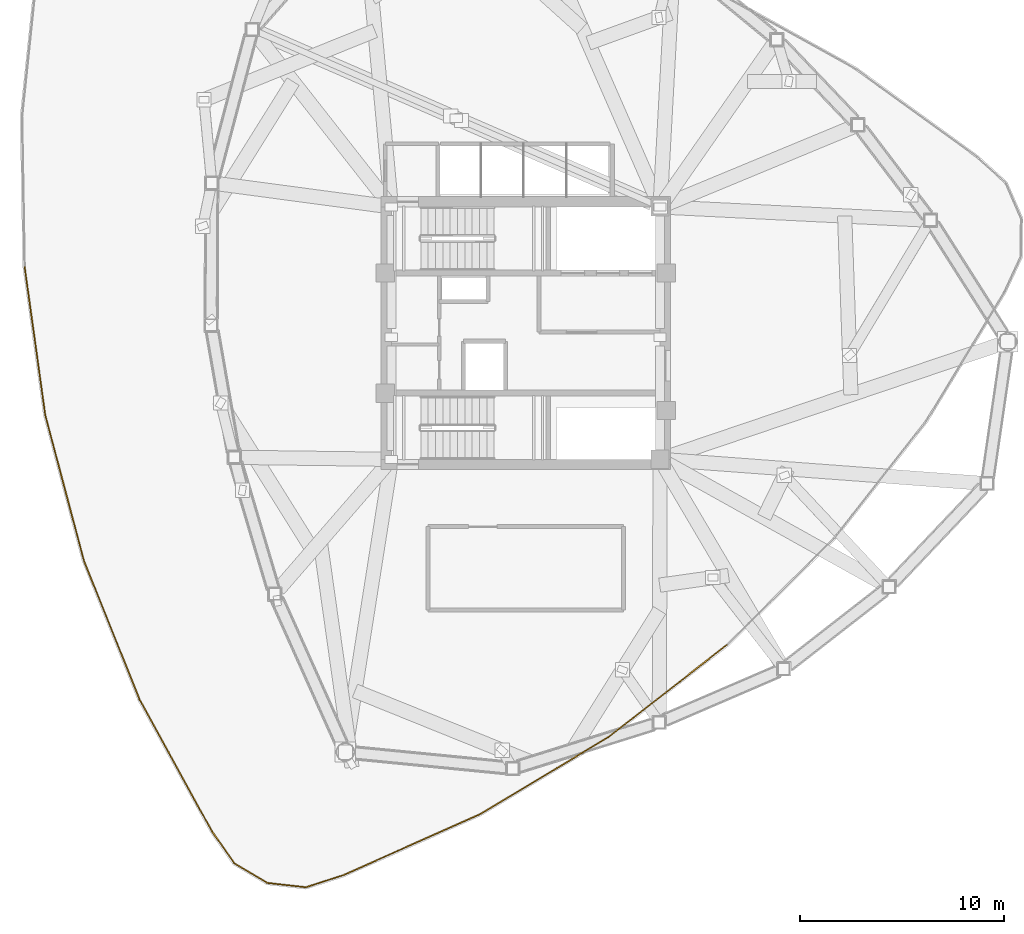
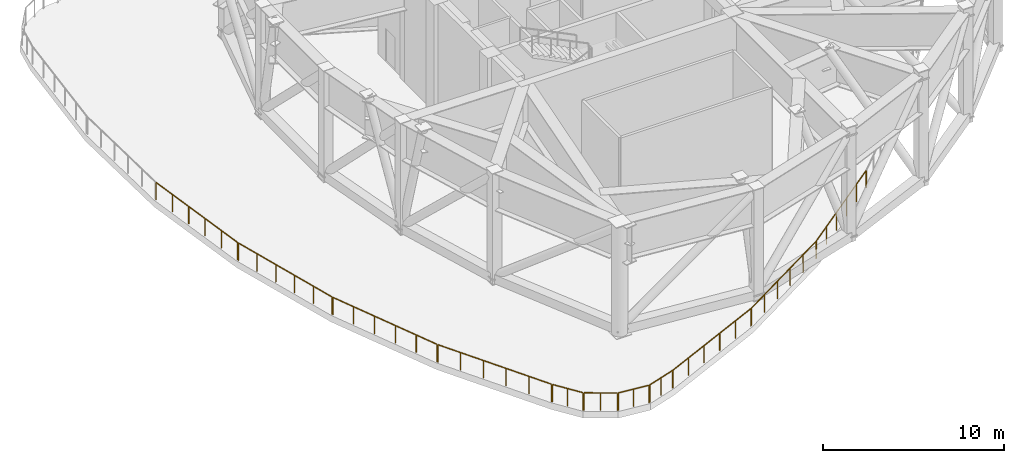
# One storey, part 6 of 8: 11 railings.
"""IFC4 building model written with IfcOpenShell, lengths in metres."""

from ifc_helpers import new_model, si_unit, direction, frame, origin, origin_2d, place, context, subcontext, project, spatial, rectangle, extrude, material, type_object, element, save


model = new_model("IFC4")

# Units and contexts
model_context = context("Model", 3, precision=1e-05, world=origin(), true_north=direction((0.0, 1.0)))
body_context = subcontext(model_context, "Body", "Model", "MODEL_VIEW")
ifc_project = project(units=[si_unit("LENGTHUNIT", "METRE"), si_unit("AREAUNIT", "SQUARE_METRE"), si_unit("VOLUMEUNIT", "CUBIC_METRE"), si_unit("PLANEANGLEUNIT", "RADIAN"), si_unit("MASSUNIT", "GRAM", prefix="KILO")], contexts=[model_context])

# Site, building, storey
site_placement = place(None, origin())
site = spatial("IfcSite", under=ifc_project, at=site_placement, CompositionType="ELEMENT")
building_placement = place(site_placement, origin())
building = spatial("IfcBuilding", under=site, at=building_placement, Name="Tavelor Broadcast Tower", CompositionType="ELEMENT")
storey_placement = place(building_placement, frame((0.0, 0.0, 209.14990234375)))
storey = spatial("IfcBuildingStorey", under=building, at=storey_placement, Name="L50", CompositionType="ELEMENT", Elevation=209.14990234375)

# Railings
ifc_material = material(Name="Steel S355", Category="steel")
railing_type = type_object("IfcRailingType", Name="Open Wind Floor Perimeter Safety Guardrail 1200 mm", PredefinedType="GUARDRAIL", material=ifc_material)
railing_1_placement = place(storey_placement, frame((59.86865234375, 29.677490234375, 0.0)))
element("IfcRailing", 1, at=railing_1_placement, inside=storey, type_object=railing_type, Name="L50 Open Wind Floor Perimeter Guardrail 14", PredefinedType="GUARDRAIL", context=body_context, shape_type="SweptSolid", body=[
    extrude(rectangle(XDim=0.048095703125, YDim=0.048095703125, at=origin_2d()), frame((0.0, 0.0, 1.17578125), z_axis=(-0.7888162645, -0.614629075834, 0.0), x_axis=(0.614629075834, -0.7888162645, 0.0)), (0.0, 0.0, 1.0), 7.3134765625),
    extrude(rectangle(XDim=0.0419921875, YDim=0.0419921875, at=origin_2d()), origin(), (0.0, 0.0, 1.0), 1.15185546875),
    extrude(rectangle(XDim=0.0419921875, YDim=0.0419921875, at=origin_2d()), frame((-1.15380859375, -0.89892578125, 0.0)), (0.0, 0.0, 1.0), 1.15185546875),
    extrude(rectangle(XDim=0.0419921875, YDim=0.0419921875, at=origin_2d()), frame((-2.3076171875, -1.798095703125, 0.0)), (0.0, 0.0, 1.0), 1.15185546875),
    extrude(rectangle(XDim=0.0419921875, YDim=0.0419921875, at=origin_2d()), frame((-3.46142578125, -2.697021484375, 0.0)), (0.0, 0.0, 1.0), 1.15185546875),
    extrude(rectangle(XDim=0.0419921875, YDim=0.0419921875, at=origin_2d()), frame((-4.615234375, -3.59619140625, 0.0)), (0.0, 0.0, 1.0), 1.15185546875),
    extrude(rectangle(XDim=0.0419921875, YDim=0.0419921875, at=origin_2d()), frame((-5.76904296875, -4.4951171875, 0.0)), (0.0, 0.0, 1.0), 1.15185546875),
])
railing_2_placement = place(storey_placement, frame((54.050048828125, 25.1484375, 0.0)))
element("IfcRailing", 2, at=railing_2_placement, inside=storey, type_object=railing_type, Name="L50 Open Wind Floor Perimeter Guardrail 15", PredefinedType="GUARDRAIL", context=body_context, shape_type="SweptSolid", body=[
    extrude(rectangle(XDim=0.048095703125, YDim=0.048095703125, at=origin_2d()), frame((0.0, 0.0, 1.17578125), z_axis=(-0.857404550197, -0.514643019287, 0.0), x_axis=(0.514643019287, -0.857404550197, 0.0)), (0.0, 0.0, 1.0), 7.313720703125),
    extrude(rectangle(XDim=0.0419921875, YDim=0.0419921875, at=origin_2d()), origin(), (0.0, 0.0, 1.0), 1.15185546875),
    extrude(rectangle(XDim=0.0419921875, YDim=0.0419921875, at=origin_2d()), frame((-1.254150390625, -0.752685546875, 0.0)), (0.0, 0.0, 1.0), 1.15185546875),
    extrude(rectangle(XDim=0.0419921875, YDim=0.0419921875, at=origin_2d()), frame((-2.50830078125, -1.505615234375, 0.0)), (0.0, 0.0, 1.0), 1.15185546875),
    extrude(rectangle(XDim=0.0419921875, YDim=0.0419921875, at=origin_2d()), frame((-3.762451171875, -2.25830078125, 0.0)), (0.0, 0.0, 1.0), 1.15185546875),
    extrude(rectangle(XDim=0.0419921875, YDim=0.0419921875, at=origin_2d()), frame((-5.0166015625, -3.01123046875, 0.0)), (0.0, 0.0, 1.0), 1.15185546875),
    extrude(rectangle(XDim=0.0419921875, YDim=0.0419921875, at=origin_2d()), frame((-6.270751953125, -3.763916015625, 0.0)), (0.0, 0.0, 1.0), 1.15185546875),
])
railing_3_placement = place(storey_placement, frame((47.726318359375, 21.35693359375, 0.0)))
element("IfcRailing", 3, at=railing_3_placement, inside=storey, type_object=railing_type, Name="L50 Open Wind Floor Perimeter Guardrail 16", PredefinedType="GUARDRAIL", context=body_context, shape_type="SweptSolid", body=[
    extrude(rectangle(XDim=0.048095703125, YDim=0.048095703125, at=origin_2d()), frame((0.0, 0.0, 1.17578125), z_axis=(-0.913367810019, -0.407135411899, 0.0), x_axis=(0.407135411899, -0.913367810019, 0.0)), (0.0, 0.0, 1.0), 7.314697265625),
    extrude(rectangle(XDim=0.0419921875, YDim=0.0419921875, at=origin_2d()), origin(), (0.0, 0.0, 1.0), 1.15185546875),
    extrude(rectangle(XDim=0.0419921875, YDim=0.0419921875, at=origin_2d()), frame((-1.336181640625, -0.595703125, 0.0)), (0.0, 0.0, 1.0), 1.15185546875),
    extrude(rectangle(XDim=0.0419921875, YDim=0.0419921875, at=origin_2d()), frame((-2.67236328125, -1.191162109375, 0.0)), (0.0, 0.0, 1.0), 1.15185546875),
    extrude(rectangle(XDim=0.0419921875, YDim=0.0419921875, at=origin_2d()), frame((-4.008544921875, -1.786865234375, 0.0)), (0.0, 0.0, 1.0), 1.15185546875),
    extrude(rectangle(XDim=0.0419921875, YDim=0.0419921875, at=origin_2d()), frame((-5.3447265625, -2.38232421875, 0.0)), (0.0, 0.0, 1.0), 1.15185546875),
    extrude(rectangle(XDim=0.0419921875, YDim=0.0419921875, at=origin_2d()), frame((-6.680908203125, -2.97802734375, 0.0)), (0.0, 0.0, 1.0), 1.15185546875),
])
railing_4_placement = place(storey_placement, frame((40.989501953125, 18.357666015625, 0.0)))
element("IfcRailing", 4, at=railing_4_placement, inside=storey, type_object=railing_type, Name="L50 Open Wind Floor Perimeter Guardrail 17", PredefinedType="GUARDRAIL", context=body_context, shape_type="SweptSolid", body=[
    extrude(rectangle(XDim=0.048095703125, YDim=0.048095703125, at=origin_2d()), frame((0.0, 0.0, 1.17578125), z_axis=(-0.951873584088, -0.306490913266, 0.0), x_axis=(0.306490913266, -0.951873584088, 0.0)), (0.0, 0.0, 1.0), 1.853515625),
    extrude(rectangle(XDim=0.0419921875, YDim=0.0419921875, at=origin_2d()), origin(), (0.0, 0.0, 1.0), 1.15185546875),
    extrude(rectangle(XDim=0.0419921875, YDim=0.0419921875, at=origin_2d()), frame((-0.88232421875, -0.2841796875, 0.0)), (0.0, 0.0, 1.0), 1.15185546875),
    extrude(rectangle(XDim=0.0419921875, YDim=0.0419921875, at=origin_2d()), frame((-1.764404296875, -0.568115234375, 0.0)), (0.0, 0.0, 1.0), 1.15185546875),
])
railing_5_placement = place(storey_placement, frame((39.166748046875, 17.78369140625, 0.0)))
element("IfcRailing", 5, at=railing_5_placement, inside=storey, type_object=railing_type, Name="L50 Open Wind Floor Perimeter Guardrail 18", PredefinedType="GUARDRAIL", context=body_context, shape_type="SweptSolid", body=[
    extrude(rectangle(XDim=0.048095703125, YDim=0.048095703125, at=origin_2d()), frame((0.0, 0.0, 1.17578125), z_axis=(-0.993676206901, 0.112283551061, 0.0), x_axis=(-0.112283551061, -0.993676206901, 0.0)), (0.0, 0.0, 1.0), 1.83740234375),
    extrude(rectangle(XDim=0.0419921875, YDim=0.0419921875, at=origin_2d()), origin(), (0.0, 0.0, 1.0), 1.15185546875),
    extrude(rectangle(XDim=0.0419921875, YDim=0.0419921875, at=origin_2d()), frame((-0.912841796875, 0.10302734375, 0.0)), (0.0, 0.0, 1.0), 1.15185546875),
    extrude(rectangle(XDim=0.0419921875, YDim=0.0419921875, at=origin_2d()), frame((-1.82568359375, 0.206298828125, 0.0)), (0.0, 0.0, 1.0), 1.15185546875),
])
railing_6_placement = place(storey_placement, frame((37.285400390625, 18.0087890625, 0.0)))
element("IfcRailing", 6, at=railing_6_placement, inside=storey, type_object=railing_type, Name="L50 Open Wind Floor Perimeter Guardrail 19", PredefinedType="GUARDRAIL", context=body_context, shape_type="SweptSolid", body=[
    extrude(rectangle(XDim=0.048095703125, YDim=0.048095703125, at=origin_2d()), frame((0.0, 0.0, 1.17578125), z_axis=(-0.859409659457, 0.511287626715, 0.0), x_axis=(-0.511287626715, -0.859409659457, 0.0)), (0.0, 0.0, 1.0), 1.83740234375),
    extrude(rectangle(XDim=0.0419921875, YDim=0.0419921875, at=origin_2d()), origin(), (0.0, 0.0, 1.0), 1.15185546875),
    extrude(rectangle(XDim=0.0419921875, YDim=0.0419921875, at=origin_2d()), frame((-0.78955078125, 0.4697265625, 0.0)), (0.0, 0.0, 1.0), 1.15185546875),
    extrude(rectangle(XDim=0.0419921875, YDim=0.0419921875, at=origin_2d()), frame((-1.5791015625, 0.939453125, 0.0)), (0.0, 0.0, 1.0), 1.15185546875),
])
railing_7_placement = place(storey_placement, frame((35.663330078125, 18.988037109375, 0.0)))
element("IfcRailing", 7, at=railing_7_placement, inside=storey, type_object=railing_type, Name="L50 Open Wind Floor Perimeter Guardrail 20", PredefinedType="GUARDRAIL", context=body_context, shape_type="SweptSolid", body=[
    extrude(rectangle(XDim=0.048095703125, YDim=0.048095703125, at=origin_2d()), frame((0.0, 0.0, 1.17578125), z_axis=(-0.572746029193, 0.819732874809, 0.0), x_axis=(-0.819732874809, -0.572746029193, 0.0)), (0.0, 0.0, 1.0), 1.853271484375),
    extrude(rectangle(XDim=0.0419921875, YDim=0.0419921875, at=origin_2d()), origin(), (0.0, 0.0, 1.0), 1.15185546875),
    extrude(rectangle(XDim=0.0419921875, YDim=0.0419921875, at=origin_2d()), frame((-0.53076171875, 0.759765625, 0.0)), (0.0, 0.0, 1.0), 1.15185546875),
    extrude(rectangle(XDim=0.0419921875, YDim=0.0419921875, at=origin_2d()), frame((-1.0615234375, 1.519287109375, 0.0)), (0.0, 0.0, 1.0), 1.15185546875),
])
railing_8_placement = place(storey_placement, frame((34.570068359375, 20.558349609375, 0.0)))
element("IfcRailing", 8, at=railing_8_placement, inside=storey, type_object=railing_type, Name="L50 Open Wind Floor Perimeter Guardrail 21", PredefinedType="GUARDRAIL", context=body_context, shape_type="SweptSolid", body=[
    extrude(rectangle(XDim=0.048095703125, YDim=0.048095703125, at=origin_2d()), frame((0.0, 0.0, 1.17578125), z_axis=(-0.481394591164, 0.876503991775, 0.0), x_axis=(-0.876503991775, -0.481394591164, 0.0)), (0.0, 0.0, 1.0), 7.314208984375),
    extrude(rectangle(XDim=0.0419921875, YDim=0.0419921875, at=origin_2d()), origin(), (0.0, 0.0, 1.0), 1.15185546875),
    extrude(rectangle(XDim=0.0419921875, YDim=0.0419921875, at=origin_2d()), frame((-0.7041015625, 1.2822265625, 0.0)), (0.0, 0.0, 1.0), 1.15185546875),
    extrude(rectangle(XDim=0.0419921875, YDim=0.0419921875, at=origin_2d()), frame((-1.408447265625, 2.564453125, 0.0)), (0.0, 0.0, 1.0), 1.15185546875),
    extrude(rectangle(XDim=0.0419921875, YDim=0.0419921875, at=origin_2d()), frame((-2.112548828125, 3.846435546875, 0.0)), (0.0, 0.0, 1.0), 1.15185546875),
    extrude(rectangle(XDim=0.0419921875, YDim=0.0419921875, at=origin_2d()), frame((-2.81689453125, 5.128662109375, 0.0)), (0.0, 0.0, 1.0), 1.15185546875),
    extrude(rectangle(XDim=0.0419921875, YDim=0.0419921875, at=origin_2d()), frame((-3.52099609375, 6.410888671875, 0.0)), (0.0, 0.0, 1.0), 1.15185546875),
])
railing_9_placement = place(storey_placement, frame((31.0234375, 27.0234375, 0.0)))
element("IfcRailing", 9, at=railing_9_placement, inside=storey, type_object=railing_type, Name="L50 Open Wind Floor Perimeter Guardrail 22", PredefinedType="GUARDRAIL", context=body_context, shape_type="SweptSolid", body=[
    extrude(rectangle(XDim=0.048095703125, YDim=0.048095703125, at=origin_2d()), frame((0.0, 0.0, 1.17578125), z_axis=(-0.371793511124, 0.928315455589, 0.0), x_axis=(-0.928315455589, -0.371793511124, 0.0)), (0.0, 0.0, 1.0), 7.313720703125),
    extrude(rectangle(XDim=0.0419921875, YDim=0.0419921875, at=origin_2d()), origin(), (0.0, 0.0, 1.0), 1.15185546875),
    extrude(rectangle(XDim=0.0419921875, YDim=0.0419921875, at=origin_2d()), frame((-0.5439453125, 1.35791015625, 0.0)), (0.0, 0.0, 1.0), 1.15185546875),
    extrude(rectangle(XDim=0.0419921875, YDim=0.0419921875, at=origin_2d()), frame((-1.087646484375, 2.7158203125, 0.0)), (0.0, 0.0, 1.0), 1.15185546875),
    extrude(rectangle(XDim=0.0419921875, YDim=0.0419921875, at=origin_2d()), frame((-1.631591796875, 4.07373046875, 0.0)), (0.0, 0.0, 1.0), 1.15185546875),
    extrude(rectangle(XDim=0.0419921875, YDim=0.0419921875, at=origin_2d()), frame((-2.17529296875, 5.431640625, 0.0)), (0.0, 0.0, 1.0), 1.15185546875),
    extrude(rectangle(XDim=0.0419921875, YDim=0.0419921875, at=origin_2d()), frame((-2.71923828125, 6.78955078125, 0.0)), (0.0, 0.0, 1.0), 1.15185546875),
])
railing_10_placement = place(storey_placement, frame((28.285400390625, 33.86962890625, 0.0)))
element("IfcRailing", 10, at=railing_10_placement, inside=storey, type_object=railing_type, Name="L50 Open Wind Floor Perimeter Guardrail 23", PredefinedType="GUARDRAIL", context=body_context, shape_type="SweptSolid", body=[
    extrude(rectangle(XDim=0.048095703125, YDim=0.048095703125, at=origin_2d()), frame((0.0, 0.0, 1.17578125), z_axis=(-0.256702636259, 0.966490432719, 0.0), x_axis=(-0.966490432719, -0.256702636259, 0.0)), (0.0, 0.0, 1.0), 7.313720703125),
    extrude(rectangle(XDim=0.0419921875, YDim=0.0419921875, at=origin_2d()), origin(), (0.0, 0.0, 1.0), 1.15185546875),
    extrude(rectangle(XDim=0.0419921875, YDim=0.0419921875, at=origin_2d()), frame((-0.37548828125, 1.413818359375, 0.0)), (0.0, 0.0, 1.0), 1.15185546875),
    extrude(rectangle(XDim=0.0419921875, YDim=0.0419921875, at=origin_2d()), frame((-0.7509765625, 2.827392578125, 0.0)), (0.0, 0.0, 1.0), 1.15185546875),
    extrude(rectangle(XDim=0.0419921875, YDim=0.0419921875, at=origin_2d()), frame((-1.12646484375, 4.2412109375, 0.0)), (0.0, 0.0, 1.0), 1.15185546875),
    extrude(rectangle(XDim=0.0419921875, YDim=0.0419921875, at=origin_2d()), frame((-1.501953125, 5.65478515625, 0.0)), (0.0, 0.0, 1.0), 1.15185546875),
    extrude(rectangle(XDim=0.0419921875, YDim=0.0419921875, at=origin_2d()), frame((-1.87744140625, 7.068603515625, 0.0)), (0.0, 0.0, 1.0), 1.15185546875),
])
railing_11_placement = place(storey_placement, frame((26.39599609375, 40.9970703125, 0.0)))
element("IfcRailing", 11, at=railing_11_placement, inside=storey, type_object=railing_type, Name="L50 Open Wind Floor Perimeter Guardrail 24", PredefinedType="GUARDRAIL", context=body_context, shape_type="SweptSolid", body=[
    extrude(rectangle(XDim=0.048095703125, YDim=0.048095703125, at=origin_2d()), frame((0.0, 0.0, 1.17578125), z_axis=(-0.137864019261, 0.990451165981, 0.0), x_axis=(-0.990451165981, -0.137864019261, 0.0)), (0.0, 0.0, 1.0), 7.313720703125),
    extrude(rectangle(XDim=0.0419921875, YDim=0.0419921875, at=origin_2d()), origin(), (0.0, 0.0, 1.0), 1.15185546875),
    extrude(rectangle(XDim=0.0419921875, YDim=0.0419921875, at=origin_2d()), frame((-0.20166015625, 1.44873046875, 0.0)), (0.0, 0.0, 1.0), 1.15185546875),
    extrude(rectangle(XDim=0.0419921875, YDim=0.0419921875, at=origin_2d()), frame((-0.4033203125, 2.8974609375, 0.0)), (0.0, 0.0, 1.0), 1.15185546875),
    extrude(rectangle(XDim=0.0419921875, YDim=0.0419921875, at=origin_2d()), frame((-0.60498046875, 4.346435546875, 0.0)), (0.0, 0.0, 1.0), 1.15185546875),
    extrude(rectangle(XDim=0.0419921875, YDim=0.0419921875, at=origin_2d()), frame((-0.806640625, 5.795166015625, 0.0)), (0.0, 0.0, 1.0), 1.15185546875),
    extrude(rectangle(XDim=0.0419921875, YDim=0.0419921875, at=origin_2d()), frame((-1.00830078125, 7.243896484375, 0.0)), (0.0, 0.0, 1.0), 1.15185546875),
])

save(model, "model.ifc")
